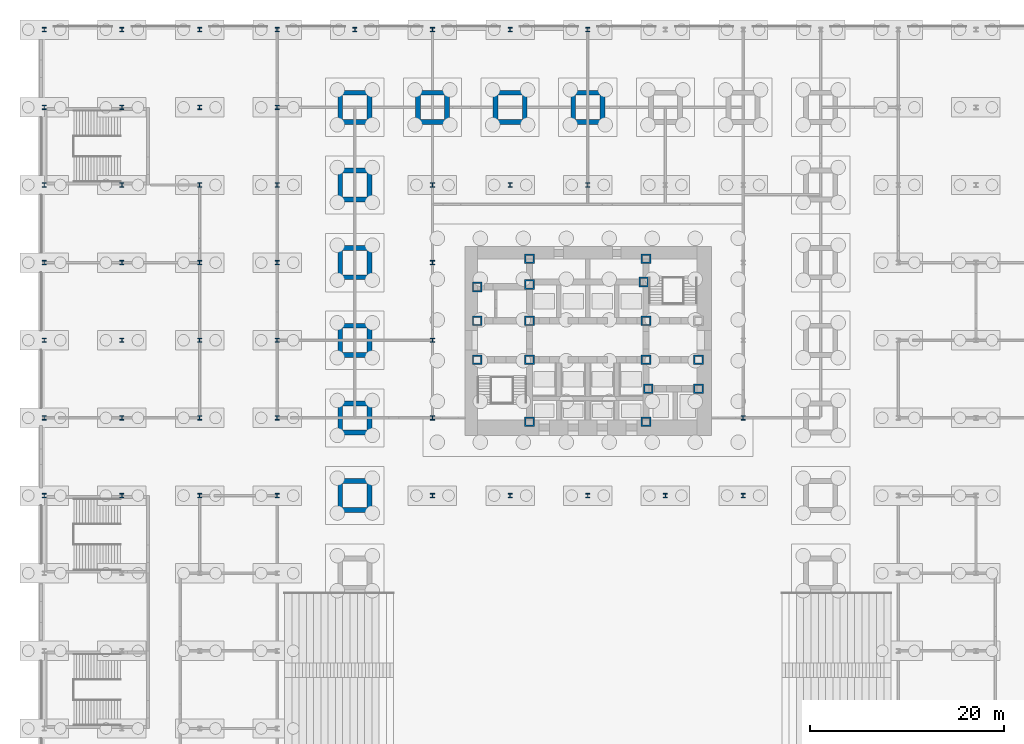
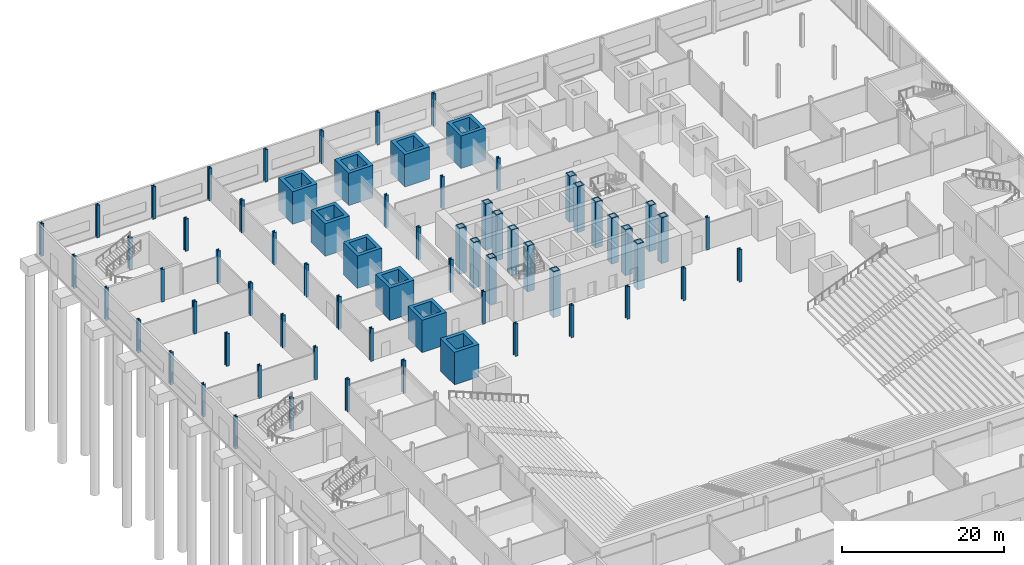
# One storey, part 6 of 24: 69 columns.
"""IFC4 building model written with IfcOpenShell, lengths in metres."""

from ifc_helpers import new_model, si_unit, direction, frame, origin, origin_2d, place, context, subcontext, project, spatial, hollow_rectangle, i_section, extrude, material, material_profile, profile_set, type_object, element, save


model = new_model("IFC4")

# Units and contexts
model_context = context("Model", 3, precision=1e-05, world=origin(), true_north=direction((0.0, 1.0)))
body_context = subcontext(model_context, "Body", "Model", "MODEL_VIEW")
ifc_project = project(units=[si_unit("LENGTHUNIT", "METRE"), si_unit("AREAUNIT", "SQUARE_METRE"), si_unit("VOLUMEUNIT", "CUBIC_METRE"), si_unit("PLANEANGLEUNIT", "RADIAN"), si_unit("MASSUNIT", "GRAM", prefix="KILO")], contexts=[model_context])

# Site, building, storey
site_placement = place(None, origin())
site = spatial("IfcSite", under=ifc_project, at=site_placement, CompositionType="ELEMENT")
building_placement = place(site_placement, origin())
building = spatial("IfcBuilding", under=site, at=building_placement, Name="Daluyong Arena Tower", CompositionType="ELEMENT")
storey_placement = place(building_placement, origin())
storey = spatial("IfcBuildingStorey", under=building, at=storey_placement, Name="L00", CompositionType="ELEMENT", Elevation=0.0)

# Columns
ifc_material_1 = material(Name="Steel ASTM A588 Grade 50", Category="steel")
ifc_material_profile_1 = material_profile(ifc_material_1, hollow_rectangle(XDim=1.0, YDim=1.0, WallThickness=0.15, at=origin_2d()))
ifc_profile_set_1 = profile_set([ifc_material_profile_1], Name="Steel ASTM A588 Grade 50")
column_type_1 = type_object("IfcColumnType", Name="Core boundary column BX1000X150", PredefinedType="COLUMN", material=ifc_profile_set_1)
for number, where, z_axis, x_axis, name in (
    (1, (44.60009765625, 78.0, -2.0), (0.0, 0.0, 1.0), (1.0, 0.0, 0.0), "core boundary column BC1"),
    (2, (44.60009765625, 82.0, -2.0), (0.0, 0.0, 1.0), (1.0, 0.0, 0.0), "core boundary column BC1"),
    (3, (44.60009765625, 85.5, -2.0), (0.0, 0.0, 1.0), (1.0, 0.0, 0.0), "core boundary column BC1"),
    (4, (50.0, 71.60009765625, -2.0), (0.0, 0.0, 1.0), (1.0, 0.0, 0.0), "core boundary column BC1"),
    (5, (50.0, 78.0, -2.0), (0.0, 0.0, 1.0), (1.0, 0.0, 0.0), "core boundary column BC1"),
    (6, (50.0, 82.0, -2.0), (0.0, 0.0, 1.0), (1.0, 0.0, 0.0), "core boundary column BC1"),
    (7, (50.0, 85.75, -2.0), (0.0, 0.0, 1.0), (1.0, 0.0, 0.0), "core boundary column BC1"),
    (8, (50.0, 88.39990234375, -2.0), (0.0, 0.0, 1.0), (1.0, 0.0, 0.0), "core boundary column BC1"),
    (9, (61.77490234375, 86.0, -2.0), (0.0, 0.0, 1.0), (1.0, 0.0, 0.0), "core boundary column BC1"),
    (10, (62.0, 71.60009765625, -2.0), (0.0, 0.0, 1.0), (1.0, 0.0, 0.0), "core boundary column BC1"),
    (11, (62.0, 78.0, -2.0), (0.0, 0.0, 1.0), (1.0, 0.0, 0.0), "core boundary column BC1"),
    (12, (62.0, 82.0, -2.0), (0.0, 0.0, 1.0), (1.0, 0.0, 0.0), "core boundary column BC1"),
    (13, (62.0, 88.39990234375, -2.0), (0.0, 0.0, 1.0), (1.0, 0.0, 0.0), "core boundary column BC1"),
    (14, (62.22509765625, 75.0, -2.0), (0.0, 0.0, 1.0), (1.0, 0.0, 0.0), "core boundary column BC1"),
    (15, (67.39990234375, 75.0, -2.0), (0.0, 0.0, 1.0), (1.0, 0.0, 0.0), "core boundary column BC1"),
    (16, (67.39990234375, 78.0, -2.0), (0.0, 0.0, 1.0), (1.0, 0.0, 0.0), "core boundary column BC1"),
):
    element("IfcColumn", number, at=place(storey_placement, frame(where, z_axis=z_axis, x_axis=x_axis)), inside=storey, type_object=column_type_1, Name=name, PredefinedType="COLUMN", context=body_context, shape_type="SweptSolid", body=[
        extrude(hollow_rectangle(XDim=1.0, YDim=1.0, WallThickness=0.15, at=origin_2d()), origin(), (0.0, 0.0, 1.0), 6.89990234375),
    ])
ifc_material_2 = material(Name="Steel ASTM A913 Grade 65", Category="steel")
ifc_material_profile_2 = material_profile(ifc_material_2, i_section(OverallWidth=0.419189453125, OverallDepth=0.45458984375, WebThickness=0.042236328125, FlangeThickness=0.067626953125, at=origin_2d()))
ifc_profile_set_2 = profile_set([ifc_material_profile_2], Name="Steel ASTM A913 Grade 65")
column_type_2 = type_object("IfcColumnType", Name="Podium column W14X370", PredefinedType="COLUMN", material=ifc_profile_set_2)
for number, where, z_axis, x_axis, name in (
    (17, (0.0, 64.0, 0.0), (0.0, 0.0, 1.0), (1.0, 0.0, 0.0), "podium column PC1"),
    (18, (0.0, 72.0, 0.0), (0.0, 0.0, 1.0), (1.0, 0.0, 0.0), "podium column PC1"),
    (19, (0.0, 80.0, 0.0), (0.0, 0.0, 1.0), (1.0, 0.0, 0.0), "podium column PC1"),
    (20, (0.0, 88.0, 0.0), (0.0, 0.0, 1.0), (1.0, 0.0, 0.0), "podium column PC1"),
    (21, (0.0, 96.0, 0.0), (0.0, 0.0, 1.0), (1.0, 0.0, 0.0), "podium column PC1"),
    (22, (0.0, 104.0, 0.0), (0.0, 0.0, 1.0), (1.0, 0.0, 0.0), "podium column PC1"),
    (23, (0.0, 112.0, 0.0), (0.0, 0.0, 1.0), (1.0, 0.0, 0.0), "podium column PC1"),
    (24, (8.0, 64.0, 0.0), (0.0, 0.0, 1.0), (1.0, 0.0, 0.0), "podium column PC1"),
    (25, (8.0, 72.0, 0.0), (0.0, 0.0, 1.0), (1.0, 0.0, 0.0), "podium column PC1"),
    (26, (8.0, 80.0, 0.0), (0.0, 0.0, 1.0), (1.0, 0.0, 0.0), "podium column PC1"),
    (27, (8.0, 88.0, 0.0), (0.0, 0.0, 1.0), (1.0, 0.0, 0.0), "podium column PC1"),
    (28, (8.0, 96.0, 0.0), (0.0, 0.0, 1.0), (1.0, 0.0, 0.0), "podium column PC1"),
    (29, (8.0, 104.0, 0.0), (0.0, 0.0, 1.0), (1.0, 0.0, 0.0), "podium column PC1"),
    (30, (8.0, 112.0, 0.0), (0.0, 0.0, 1.0), (1.0, 0.0, 0.0), "podium column PC1"),
    (31, (16.0, 64.0, 0.0), (0.0, 0.0, 1.0), (1.0, 0.0, 0.0), "podium column PC1"),
    (32, (16.0, 72.0, 0.0), (0.0, 0.0, 1.0), (1.0, 0.0, 0.0), "podium column PC1"),
    (33, (16.0, 80.0, 0.0), (0.0, 0.0, 1.0), (1.0, 0.0, 0.0), "podium column PC1"),
    (34, (16.0, 88.0, 0.0), (0.0, 0.0, 1.0), (1.0, 0.0, 0.0), "podium column PC1"),
    (35, (16.0, 96.0, 0.0), (0.0, 0.0, 1.0), (1.0, 0.0, 0.0), "podium column PC1"),
    (36, (16.0, 104.0, 0.0), (0.0, 0.0, 1.0), (1.0, 0.0, 0.0), "podium column PC1"),
    (37, (16.0, 112.0, 0.0), (0.0, 0.0, 1.0), (1.0, 0.0, 0.0), "podium column PC1"),
    (38, (24.0, 64.0, 0.0), (0.0, 0.0, 1.0), (1.0, 0.0, 0.0), "podium column PC1"),
    (39, (24.0, 72.0, 0.0), (0.0, 0.0, 1.0), (1.0, 0.0, 0.0), "podium column PC1"),
    (40, (24.0, 80.0, 0.0), (0.0, 0.0, 1.0), (1.0, 0.0, 0.0), "podium column PC1"),
    (41, (24.0, 88.0, 0.0), (0.0, 0.0, 1.0), (1.0, 0.0, 0.0), "podium column PC1"),
    (42, (24.0, 96.0, 0.0), (0.0, 0.0, 1.0), (1.0, 0.0, 0.0), "podium column PC1"),
    (43, (24.0, 104.0, 0.0), (0.0, 0.0, 1.0), (1.0, 0.0, 0.0), "podium column PC1"),
    (44, (24.0, 112.0, 0.0), (0.0, 0.0, 1.0), (1.0, 0.0, 0.0), "podium column PC1"),
    (45, (32.0, 112.0, 0.0), (0.0, 0.0, 1.0), (1.0, 0.0, 0.0), "podium column PC1"),
    (46, (40.0, 64.0, 0.0), (0.0, 0.0, 1.0), (1.0, 0.0, 0.0), "podium column PC1"),
    (47, (40.0, 72.0, 0.0), (0.0, 0.0, 1.0), (1.0, 0.0, 0.0), "podium column PC1"),
    (48, (40.0, 80.0, 0.0), (0.0, 0.0, 1.0), (1.0, 0.0, 0.0), "podium column PC1"),
    (49, (40.0, 88.0, 0.0), (0.0, 0.0, 1.0), (1.0, 0.0, 0.0), "podium column PC1"),
    (50, (40.0, 96.0, 0.0), (0.0, 0.0, 1.0), (1.0, 0.0, 0.0), "podium column PC1"),
    (51, (40.0, 112.0, 0.0), (0.0, 0.0, 1.0), (1.0, 0.0, 0.0), "podium column PC1"),
    (52, (48.0, 64.0, 0.0), (0.0, 0.0, 1.0), (1.0, 0.0, 0.0), "podium column PC1"),
    (53, (48.0, 96.0, 0.0), (0.0, 0.0, 1.0), (1.0, 0.0, 0.0), "podium column PC1"),
    (54, (48.0, 112.0, 0.0), (0.0, 0.0, 1.0), (1.0, 0.0, 0.0), "podium column PC1"),
    (55, (56.0, 64.0, 0.0), (0.0, 0.0, 1.0), (1.0, 0.0, 0.0), "podium column PC1"),
    (56, (56.0, 96.0, 0.0), (0.0, 0.0, 1.0), (1.0, 0.0, 0.0), "podium column PC1"),
    (57, (56.0, 112.0, 0.0), (0.0, 0.0, 1.0), (1.0, 0.0, 0.0), "podium column PC1"),
    (58, (64.0, 64.0, 0.0), (0.0, 0.0, 1.0), (1.0, 0.0, 0.0), "podium column PC1"),
    (59, (72.0, 64.0, 0.0), (0.0, 0.0, 1.0), (1.0, 0.0, 0.0), "podium column PC1"),
    (60, (72.0, 72.0, 0.0), (0.0, 0.0, 1.0), (1.0, 0.0, 0.0), "podium column PC1"),
):
    element("IfcColumn", number, at=place(storey_placement, frame(where, z_axis=z_axis, x_axis=x_axis)), inside=storey, type_object=column_type_2, Name=name, PredefinedType="COLUMN", context=body_context, shape_type="SweptSolid", body=[
        extrude(i_section(OverallWidth=0.419189453125, OverallDepth=0.45458984375, WebThickness=0.042236328125, FlangeThickness=0.067626953125, at=origin_2d()), origin(), (0.0, 0.0, 1.0), 4.89990234375),
    ])
ifc_material_3 = material(Name="Steel ASTM A36", Category="steel")
ifc_material_profile_3 = material_profile(ifc_material_3, hollow_rectangle(XDim=3.5, YDim=3.5, WallThickness=0.5, at=origin_2d()))
ifc_profile_set_3 = profile_set([ifc_material_profile_3], Name="Steel ASTM A36")
column_type_3 = type_object("IfcColumnType", Name="Podium megacolumn BX3500X500", PredefinedType="COLUMN", material=ifc_profile_set_3)
for number, where, z_axis, x_axis, name in (
    (61, (32.0, 64.0, 0.0), (0.0, 0.0, 1.0), (1.0, 0.0, 0.0), "podium megacolumn MC1"),
    (62, (32.0, 72.0, 0.0), (0.0, 0.0, 1.0), (1.0, 0.0, 0.0), "podium megacolumn MC1"),
    (63, (32.0, 80.0, 0.0), (0.0, 0.0, 1.0), (1.0, 0.0, 0.0), "podium megacolumn MC1"),
    (64, (32.0, 88.0, 0.0), (0.0, 0.0, 1.0), (1.0, 0.0, 0.0), "podium megacolumn MC1"),
    (65, (32.0, 96.0, 0.0), (0.0, 0.0, 1.0), (1.0, 0.0, 0.0), "podium megacolumn MC1"),
    (66, (32.0, 104.0, 0.0), (0.0, 0.0, 1.0), (1.0, 0.0, 0.0), "podium megacolumn MC1"),
    (67, (40.0, 104.0, 0.0), (0.0, 0.0, 1.0), (1.0, 0.0, 0.0), "podium megacolumn MC1"),
    (68, (48.0, 104.0, 0.0), (0.0, 0.0, 1.0), (1.0, 0.0, 0.0), "podium megacolumn MC1"),
    (69, (56.0, 104.0, 0.0), (0.0, 0.0, 1.0), (1.0, 0.0, 0.0), "podium megacolumn MC1"),
):
    element("IfcColumn", number, at=place(storey_placement, frame(where, z_axis=z_axis, x_axis=x_axis)), inside=storey, type_object=column_type_3, Name=name, PredefinedType="COLUMN", context=body_context, shape_type="SweptSolid", body=[
        extrude(hollow_rectangle(XDim=3.5, YDim=3.5, WallThickness=0.5, at=origin_2d()), origin(), (0.0, 0.0, 1.0), 4.89990234375),
    ])

save(model, "model.ifc")
